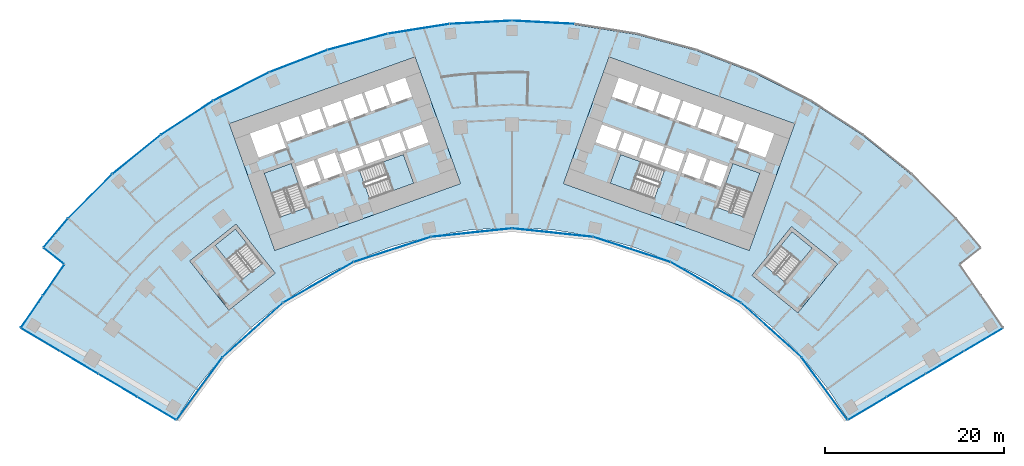
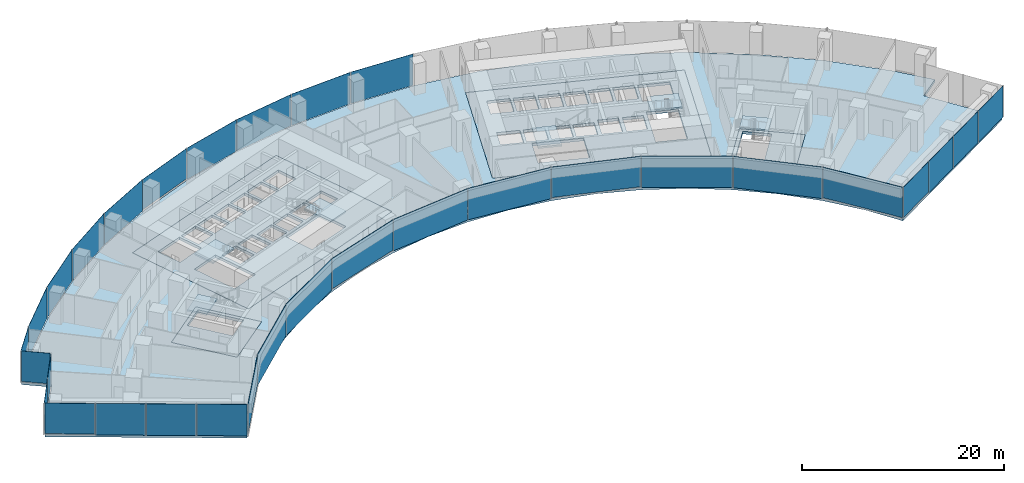
# One storey, part 12 of 21: 31 plates, 11 slabs, 12 elements without a shape of their own.
"""IFC4 building model written with IfcOpenShell, lengths in metres."""

from ifc_helpers import new_model, si_unit, direction, frame, origin, origin_2d, place, context, subcontext, project, spatial, polyline, rectangle, outline, extrude, material, layer, layer_set, type_object, element, aggregate, save


model = new_model("IFC4")

# Units and contexts
model_context = context("Model", 3, precision=1e-05, world=origin(), true_north=direction((0.0, 1.0)))
body_context = subcontext(model_context, "Body", "Model", "MODEL_VIEW")
ifc_project = project(units=[si_unit("LENGTHUNIT", "METRE"), si_unit("AREAUNIT", "SQUARE_METRE"), si_unit("VOLUMEUNIT", "CUBIC_METRE"), si_unit("PLANEANGLEUNIT", "RADIAN"), si_unit("MASSUNIT", "GRAM", prefix="KILO")], contexts=[model_context])

# Site, building, storey
site_placement = place(None, origin())
site = spatial("IfcSite", under=ifc_project, at=site_placement, CompositionType="ELEMENT")
building_placement = place(site_placement, origin())
building = spatial("IfcBuilding", under=site, at=building_placement, Name="Stone Belt Terrace Tower", CompositionType="ELEMENT")
storey_placement = place(building_placement, frame((0.0, 0.0, 37.60009765625)))
storey = spatial("IfcBuildingStorey", under=building, at=storey_placement, Name="L08", CompositionType="ELEMENT", Elevation=37.60009765625)

# Curtain wall, plates
ifc_material_1 = material(Name="Aluminium 6063-T6 anodised frame", Category="aluminium")
ifc_layer_1 = layer(ifc_material_1, 0.14990234375)
ifc_layer_set_1 = layer_set([ifc_layer_1], Name="CW-A unitised convex-face curtain wall")
curtain_wall_type_1 = type_object("IfcCurtainWallType", Name="CW-A unitised convex-face curtain wall", PredefinedType="NOTDEFINED", material=ifc_layer_set_1)
curtain_wall_1_placement = place(storey_placement, origin())
curtain_wall_1 = element("IfcCurtainWall", 1, at=curtain_wall_1_placement, inside=storey, type_object=curtain_wall_type_1, Name="CW-A convex face L08", PredefinedType="NOTDEFINED")
ifc_material_2 = material(Name="Clear double glazed unit")
ifc_layer_2 = layer(ifc_material_2, 0.031982421875)
ifc_layer_set_2 = layer_set([ifc_layer_2], Name="CW-A glass panel 32")
plate_type_1 = type_object("IfcPlateType", Name="CW-A glass panel 32", PredefinedType="CURTAIN_PANEL", material=ifc_layer_set_2)
plate_1_placement = place(storey_placement, frame((3.4794921875, 66.392822265625, 0.0), z_axis=(0.0, 0.0, 1.0), x_axis=(-0.998629534755, 0.052335956243, 0.0)))
plate_1 = element("IfcPlate", 2, at=plate_1_placement, type_object=plate_type_1, Name="CW-A panel 9.1", PredefinedType="CURTAIN_PANEL", context=body_context, shape_type="SweptSolid", body=[
    extrude(rectangle(XDim=6.90087890625, YDim=0.031982421875, at=origin_2d()), origin(), (0.0, 0.0, 1.0), 3.800048828125),
])
plate_2_placement = place(storey_placement, frame((-3.4794921875, 66.392822265625, 0.0), z_axis=(0.0, 0.0, 1.0), x_axis=(-0.998629534755, -0.052335956243, 0.0)))
plate_2 = element("IfcPlate", 3, at=plate_2_placement, type_object=plate_type_1, Name="CW-A panel 10.1", PredefinedType="CURTAIN_PANEL", context=body_context, shape_type="SweptSolid", body=[
    extrude(rectangle(XDim=6.90087890625, YDim=0.031982421875, at=origin_2d()), origin(), (0.0, 0.0, 1.0), 3.800048828125),
])
plate_3_placement = place(storey_placement, frame((-10.400390625, 65.665283203125, 0.0), z_axis=(0.0, 0.0, 1.0), x_axis=(-0.987688340595, -0.15643446504, 0.0)))
plate_3 = element("IfcPlate", 4, at=plate_3_placement, type_object=plate_type_1, Name="CW-A panel 11.1", PredefinedType="CURTAIN_PANEL", context=body_context, shape_type="SweptSolid", body=[
    extrude(rectangle(XDim=6.90087890625, YDim=0.031982421875, at=origin_2d()), origin(), (0.0, 0.0, 1.0), 3.800048828125),
])
plate_4_placement = place(storey_placement, frame((-17.207275390625, 64.218505859375, 0.0), z_axis=(0.0, 0.0, 1.0), x_axis=(-0.965925826289, -0.258819045103, 0.0)))
plate_4 = element("IfcPlate", 5, at=plate_4_placement, type_object=plate_type_1, Name="CW-A panel 12.1", PredefinedType="CURTAIN_PANEL", context=body_context, shape_type="SweptSolid", body=[
    extrude(rectangle(XDim=6.90087890625, YDim=0.031982421875, at=origin_2d()), origin(), (0.0, 0.0, 1.0), 3.800048828125),
])
plate_5_placement = place(storey_placement, frame((-23.82568359375, 62.068115234375, 0.14013671875), z_axis=(0.0, 0.0, 1.0), x_axis=(-0.933580426497, -0.358367949545, 0.0)))
plate_5 = element("IfcPlate", 6, at=plate_5_placement, type_object=plate_type_1, Name="CW-A panel 13.1", PredefinedType="CURTAIN_PANEL", context=body_context, shape_type="SweptSolid", body=[
    extrude(rectangle(XDim=6.90087890625, YDim=0.031982421875, at=origin_2d()), origin(), (0.0, 0.0, 1.0), 3.659912109375),
])
plate_6_placement = place(storey_placement, frame((-30.18310546875, 59.237548828125, 0.0), z_axis=(0.0, 0.0, 1.0), x_axis=(-0.891006524188, -0.45399049974, 0.0)))
plate_6 = element("IfcPlate", 7, at=plate_6_placement, type_object=plate_type_1, Name="CW-A panel 14.1", PredefinedType="CURTAIN_PANEL", context=body_context, shape_type="SweptSolid", body=[
    extrude(rectangle(XDim=6.90087890625, YDim=0.031982421875, at=origin_2d()), origin(), (0.0, 0.0, 1.0), 3.800048828125),
])
plate_7_placement = place(storey_placement, frame((-36.209716796875, 55.758056640625, 0.0), z_axis=(0.0, 0.0, 1.0), x_axis=(-0.838670567945, -0.544639035015, 0.0)))
plate_7 = element("IfcPlate", 8, at=plate_7_placement, type_object=plate_type_1, Name="CW-A panel 15.1", PredefinedType="CURTAIN_PANEL", context=body_context, shape_type="SweptSolid", body=[
    extrude(rectangle(XDim=6.90087890625, YDim=0.031982421875, at=origin_2d()), origin(), (0.0, 0.0, 1.0), 3.800048828125),
])
plate_8_placement = place(storey_placement, frame((-41.839599609375, 51.667724609375, 0.0), z_axis=(0.0, 0.0, 1.0), x_axis=(-0.777145961457, -0.62932039105, 0.0)))
plate_8 = element("IfcPlate", 9, at=plate_8_placement, type_object=plate_type_1, Name="CW-A panel 16.1", PredefinedType="CURTAIN_PANEL", context=body_context, shape_type="SweptSolid", body=[
    extrude(rectangle(XDim=6.90087890625, YDim=0.031982421875, at=origin_2d()), origin(), (0.0, 0.0, 1.0), 3.800048828125),
])
plate_9_placement = place(storey_placement, frame((-47.01123046875, 47.01123046875, 0.0), z_axis=(0.0, 0.0, 1.0), x_axis=(-0.707106781187, -0.707106781187, 0.0)))
plate_9 = element("IfcPlate", 10, at=plate_9_placement, type_object=plate_type_1, Name="CW-A panel 17.1", PredefinedType="CURTAIN_PANEL", context=body_context, shape_type="SweptSolid", body=[
    extrude(rectangle(XDim=6.90087890625, YDim=0.031982421875, at=origin_2d()), origin(), (0.0, 0.0, 1.0), 3.800048828125),
])
plate_10_placement = place(storey_placement, frame((-50.84423828125, 42.92626953125, 0.0), z_axis=(0.0, 0.0, 1.0), x_axis=(-0.645291395384, -0.763936525533, 0.0)))
plate_10 = element("IfcPlate", 11, at=plate_10_placement, type_object=plate_type_1, Name="CW-A panel 18.1", PredefinedType="CURTAIN_PANEL", context=body_context, shape_type="SweptSolid", body=[
    extrude(rectangle(XDim=4.17919921875, YDim=0.031982421875, at=origin_2d()), origin(), (0.0, 0.0, 1.0), 3.800048828125),
])
aggregate(curtain_wall_1, [plate_1, plate_2, plate_3, plate_4, plate_5, plate_6, plate_7, plate_8, plate_9, plate_10])

ifc_layer_3 = layer(ifc_material_1, 0.14990234375)
ifc_layer_set_3 = layer_set([ifc_layer_3], Name="CW-B unitised concave-face curtain wall")
curtain_wall_type_2 = type_object("IfcCurtainWallType", Name="CW-B unitised concave-face curtain wall", PredefinedType="NOTDEFINED", material=ifc_layer_set_3)
curtain_wall_2_placement = place(storey_placement, origin())
curtain_wall_2 = element("IfcCurtainWall", 12, at=curtain_wall_2_placement, inside=storey, type_object=curtain_wall_type_2, Name="CW-B concave face L08", PredefinedType="NOTDEFINED")
ifc_layer_4 = layer(ifc_material_2, 0.030029296875)
ifc_layer_set_4 = layer_set([ifc_layer_4], Name="CW-B glass panel 30")
plate_type_2 = type_object("IfcPlateType", Name="CW-B glass panel 30", PredefinedType="CURTAIN_PANEL", material=ifc_layer_set_4)
plate_11_placement = place(storey_placement, frame((-34.831787109375, 25.57177734375, 0.1201171875), z_axis=(0.0, 0.0, 1.0), x_axis=(0.592159017675, 0.805821132626, 0.0)))
plate_11 = element("IfcPlate", 13, at=plate_11_placement, type_object=plate_type_2, Name="CW-B panel 1.1", PredefinedType="CURTAIN_PANEL", context=body_context, shape_type="SweptSolid", body=[
    extrude(rectangle(XDim=8.583984375, YDim=0.030029296875, at=origin_2d()), origin(), (0.0, 0.0, 1.0), 3.679931640625),
])
plate_12_placement = place(storey_placement, frame((-28.897705078125, 32.09375, 0.0), z_axis=(0.0, 0.0, 1.0), x_axis=(0.743144825477, 0.669130606359, 0.0)))
plate_12 = element("IfcPlate", 14, at=plate_12_placement, type_object=plate_type_2, Name="CW-B panel 2.1", PredefinedType="CURTAIN_PANEL", context=body_context, shape_type="SweptSolid", body=[
    extrude(rectangle(XDim=9.01318359375, YDim=0.030029296875, at=origin_2d()), origin(), (0.0, 0.0, 1.0), 3.800048828125),
])
plate_13_placement = place(storey_placement, frame((-21.59326171875, 37.40087890625, 0.0), z_axis=(0.0, 0.0, 1.0), x_axis=(0.866025403784, 0.5, 0.0)))
plate_13 = element("IfcPlate", 15, at=plate_13_placement, type_object=plate_type_2, Name="CW-B panel 3.1", PredefinedType="CURTAIN_PANEL", context=body_context, shape_type="SweptSolid", body=[
    extrude(rectangle(XDim=9.0126953125, YDim=0.030029296875, at=origin_2d()), origin(), (0.0, 0.0, 1.0), 3.800048828125),
])
plate_14_placement = place(storey_placement, frame((-13.345458984375, 41.072998046875, 0.1201171875), z_axis=(0.0, 0.0, 1.0), x_axis=(0.951056516295, 0.309016994375, 0.0)))
plate_14 = element("IfcPlate", 16, at=plate_14_placement, type_object=plate_type_2, Name="CW-B panel 4.1", PredefinedType="CURTAIN_PANEL", context=body_context, shape_type="SweptSolid", body=[
    extrude(rectangle(XDim=9.0126953125, YDim=0.030029296875, at=origin_2d()), origin(), (0.0, 0.0, 1.0), 3.679931640625),
])
plate_15_placement = place(storey_placement, frame((-4.51416015625, 42.9501953125, 0.0), z_axis=(0.0, 0.0, 1.0), x_axis=(0.994521895368, 0.104528463268, 0.0)))
plate_15 = element("IfcPlate", 17, at=plate_15_placement, type_object=plate_type_2, Name="CW-B panel 5.1", PredefinedType="CURTAIN_PANEL", context=body_context, shape_type="SweptSolid", body=[
    extrude(rectangle(XDim=9.0126953125, YDim=0.030029296875, at=origin_2d()), origin(), (0.0, 0.0, 1.0), 3.800048828125),
])
plate_16_placement = place(storey_placement, frame((4.51416015625, 42.9501953125, 0.0), z_axis=(0.0, 0.0, 1.0), x_axis=(0.994521895368, -0.104528463268, 0.0)))
plate_16 = element("IfcPlate", 18, at=plate_16_placement, type_object=plate_type_2, Name="CW-B panel 6.1", PredefinedType="CURTAIN_PANEL", context=body_context, shape_type="SweptSolid", body=[
    extrude(rectangle(XDim=9.0126953125, YDim=0.030029296875, at=origin_2d()), origin(), (0.0, 0.0, 1.0), 3.800048828125),
])
plate_17_placement = place(storey_placement, frame((13.345458984375, 41.072998046875, 0.1201171875), z_axis=(0.0, 0.0, 1.0), x_axis=(0.951056516295, -0.309016994375, 0.0)))
plate_17 = element("IfcPlate", 19, at=plate_17_placement, type_object=plate_type_2, Name="CW-B panel 7.1", PredefinedType="CURTAIN_PANEL", context=body_context, shape_type="SweptSolid", body=[
    extrude(rectangle(XDim=9.0126953125, YDim=0.030029296875, at=origin_2d()), origin(), (0.0, 0.0, 1.0), 3.679931640625),
])
plate_18_placement = place(storey_placement, frame((21.59326171875, 37.40087890625, 0.0), z_axis=(0.0, 0.0, 1.0), x_axis=(0.866025403784, -0.5, 0.0)))
plate_18 = element("IfcPlate", 20, at=plate_18_placement, type_object=plate_type_2, Name="CW-B panel 8.1", PredefinedType="CURTAIN_PANEL", context=body_context, shape_type="SweptSolid", body=[
    extrude(rectangle(XDim=9.0126953125, YDim=0.030029296875, at=origin_2d()), origin(), (0.0, 0.0, 1.0), 3.800048828125),
])
plate_19_placement = place(storey_placement, frame((28.897705078125, 32.09375, 0.0), z_axis=(0.0, 0.0, 1.0), x_axis=(0.743144825477, -0.669130606359, 0.0)))
plate_19 = element("IfcPlate", 21, at=plate_19_placement, type_object=plate_type_2, Name="CW-B panel 9.1", PredefinedType="CURTAIN_PANEL", context=body_context, shape_type="SweptSolid", body=[
    extrude(rectangle(XDim=9.01318359375, YDim=0.030029296875, at=origin_2d()), origin(), (0.0, 0.0, 1.0), 3.800048828125),
])
plate_20_placement = place(storey_placement, frame((34.831787109375, 25.57177734375, 0.1201171875), z_axis=(0.0, 0.0, 1.0), x_axis=(0.592159017675, -0.805821132626, 0.0)))
plate_20 = element("IfcPlate", 22, at=plate_20_placement, type_object=plate_type_2, Name="CW-B panel 10.1", PredefinedType="CURTAIN_PANEL", context=body_context, shape_type="SweptSolid", body=[
    extrude(rectangle(XDim=8.583984375, YDim=0.030029296875, at=origin_2d()), origin(), (0.0, 0.0, 1.0), 3.679931640625),
])
aggregate(curtain_wall_2, [plate_11, plate_12, plate_13, plate_14, plate_15, plate_16, plate_17, plate_18, plate_19, plate_20])

ifc_layer_5 = layer(ifc_material_1, 0.14990234375)
ifc_layer_set_5 = layer_set([ifc_layer_5], Name="CW-C stick curtain wall, horn ends and notches")
curtain_wall_type_3 = type_object("IfcCurtainWallType", Name="CW-C stick curtain wall, horn ends and notches", PredefinedType="NOTDEFINED", material=ifc_layer_set_5)
curtain_wall_3_placement = place(storey_placement, origin())
curtain_wall_3 = element("IfcCurtainWall", 23, at=curtain_wall_3_placement, inside=storey, type_object=curtain_wall_type_3, Name="CW-C end face L08", PredefinedType="NOTDEFINED")
ifc_layer_6 = layer(ifc_material_2, 0.028076171875)
ifc_layer_set_6 = layer_set([ifc_layer_6], Name="CW-C glass panel 28")
plate_type_3 = type_object("IfcPlateType", Name="CW-C glass panel 28", PredefinedType="CURTAIN_PANEL", material=ifc_layer_set_6)
plate_21_placement = place(storey_placement, frame((39.613037109375, 23.359130859375, 0.1201171875), z_axis=(0.0, 0.0, 1.0), x_axis=(0.860557728521, 0.509352918793, 0.0)))
plate_21 = element("IfcPlate", 24, at=plate_21_placement, type_object=plate_type_3, Name="CW-C panel 1.1", PredefinedType="CURTAIN_PANEL", context=body_context, shape_type="SweptSolid", body=[
    extrude(rectangle(XDim=4.96533203125, YDim=0.028076171875, at=origin_2d()), origin(), (0.0, 0.0, 1.0), 3.679931640625),
])
plate_22_placement = place(storey_placement, frame((43.9267578125, 25.912353515625, 0.0), z_axis=(0.0, 0.0, 1.0), x_axis=(0.860557728521, 0.509352918793, 0.0)))
plate_22 = element("IfcPlate", 25, at=plate_22_placement, type_object=plate_type_3, Name="CW-C panel 2.1", PredefinedType="CURTAIN_PANEL", context=body_context, shape_type="SweptSolid", body=[
    extrude(rectangle(XDim=4.93994140625, YDim=0.028076171875, at=origin_2d()), origin(), (0.0, 0.0, 1.0), 3.800048828125),
])
plate_23_placement = place(storey_placement, frame((48.2294921875, 28.459228515625, 0.0), z_axis=(0.0, 0.0, 1.0), x_axis=(0.860557728521, 0.509352918793, 0.0)))
plate_23 = element("IfcPlate", 26, at=plate_23_placement, type_object=plate_type_3, Name="CW-C panel 3.1", PredefinedType="CURTAIN_PANEL", context=body_context, shape_type="SweptSolid", body=[
    extrude(rectangle(XDim=4.93994140625, YDim=0.028076171875, at=origin_2d()), origin(), (0.0, 0.0, 1.0), 3.800048828125),
])
plate_24_placement = place(storey_placement, frame((52.54736328125, 31.014892578125, 0.0), z_axis=(0.0, 0.0, 1.0), x_axis=(0.860557728521, 0.509352918793, 0.0)))
plate_24 = element("IfcPlate", 27, at=plate_24_placement, type_object=plate_type_3, Name="CW-C panel 4.1", PredefinedType="CURTAIN_PANEL", context=body_context, shape_type="SweptSolid", body=[
    extrude(rectangle(XDim=4.974853515625, YDim=0.028076171875, at=origin_2d()), origin(), (0.0, 0.0, 1.0), 3.800048828125),
])
aggregate(curtain_wall_3, [plate_21, plate_22, plate_23, plate_24])

# Curtain wall, plate
curtain_wall_4_placement = place(storey_placement, origin())
curtain_wall_4 = element("IfcCurtainWall", 28, at=curtain_wall_4_placement, inside=storey, type_object=curtain_wall_type_3, Name="CW-C notch face L08", PredefinedType="NOTDEFINED")
plate_25_placement = place(storey_placement, frame((-51.061279296875, 40.3388671875, 0.1201171875), z_axis=(0.0, 0.0, 1.0), x_axis=(0.783963828584, -0.620806504051, 0.0)))
plate_25 = element("IfcPlate", 29, at=plate_25_placement, type_object=plate_type_3, Name="CW-C panel 1.1", PredefinedType="CURTAIN_PANEL", context=body_context, shape_type="SweptSolid", body=[
    extrude(rectangle(XDim=2.859375, YDim=0.028076171875, at=origin_2d()), origin(), (0.0, 0.0, 1.0), 3.679931640625),
])
aggregate(curtain_wall_4, [plate_25])

# Curtain wall, plates
curtain_wall_5_placement = place(storey_placement, origin())
curtain_wall_5 = element("IfcCurtainWall", 30, at=curtain_wall_5_placement, inside=storey, type_object=curtain_wall_type_3, Name="CW-C notch face L08", PredefinedType="NOTDEFINED")
plate_26_placement = place(storey_placement, frame((-51.091552734375, 37.647705078125, 0.1201171875), z_axis=(0.0, 0.0, 1.0), x_axis=(-0.566375967567, -0.824146991357, 0.0)))
plate_26 = element("IfcPlate", 31, at=plate_26_placement, type_object=plate_type_3, Name="CW-C panel 1.1", PredefinedType="CURTAIN_PANEL", context=body_context, shape_type="SweptSolid", body=[
    extrude(rectangle(XDim=4.12060546875, YDim=0.028076171875, at=origin_2d()), origin(), (0.0, 0.0, 1.0), 3.679931640625),
])
plate_27_placement = place(storey_placement, frame((-53.501220703125, 34.141357421875, 0.0), z_axis=(0.0, 0.0, 1.0), x_axis=(-0.566375967567, -0.824146991357, 0.0)))
plate_27 = element("IfcPlate", 32, at=plate_27_placement, type_object=plate_type_3, Name="CW-C panel 2.1", PredefinedType="CURTAIN_PANEL", context=body_context, shape_type="SweptSolid", body=[
    extrude(rectangle(XDim=4.268798828125, YDim=0.028076171875, at=origin_2d()), origin(), (0.0, 0.0, 1.0), 3.800048828125),
])
aggregate(curtain_wall_5, [plate_26, plate_27])

curtain_wall_6_placement = place(storey_placement, origin())
curtain_wall_6 = element("IfcCurtainWall", 33, at=curtain_wall_6_placement, inside=storey, type_object=curtain_wall_type_3, Name="CW-C end face L08", PredefinedType="NOTDEFINED")
plate_28_placement = place(storey_placement, frame((-52.54736328125, 31.014892578125, 0.1201171875), z_axis=(0.0, 0.0, 1.0), x_axis=(0.860557728521, -0.509352918793, 0.0)))
plate_28 = element("IfcPlate", 34, at=plate_28_placement, type_object=plate_type_3, Name="CW-C panel 1.1", PredefinedType="CURTAIN_PANEL", context=body_context, shape_type="SweptSolid", body=[
    extrude(rectangle(XDim=4.974853515625, YDim=0.028076171875, at=origin_2d()), origin(), (0.0, 0.0, 1.0), 3.679931640625),
])
plate_29_placement = place(storey_placement, frame((-48.2294921875, 28.459228515625, 0.0), z_axis=(0.0, 0.0, 1.0), x_axis=(0.860557728521, -0.509352918793, 0.0)))
plate_29 = element("IfcPlate", 35, at=plate_29_placement, type_object=plate_type_3, Name="CW-C panel 2.1", PredefinedType="CURTAIN_PANEL", context=body_context, shape_type="SweptSolid", body=[
    extrude(rectangle(XDim=4.93994140625, YDim=0.028076171875, at=origin_2d()), origin(), (0.0, 0.0, 1.0), 3.800048828125),
])
plate_30_placement = place(storey_placement, frame((-43.9267578125, 25.912353515625, 0.0), z_axis=(0.0, 0.0, 1.0), x_axis=(0.860557728521, -0.509352918793, 0.0)))
plate_30 = element("IfcPlate", 36, at=plate_30_placement, type_object=plate_type_3, Name="CW-C panel 3.1", PredefinedType="CURTAIN_PANEL", context=body_context, shape_type="SweptSolid", body=[
    extrude(rectangle(XDim=4.93994140625, YDim=0.028076171875, at=origin_2d()), origin(), (0.0, 0.0, 1.0), 3.800048828125),
])
plate_31_placement = place(storey_placement, frame((-39.613037109375, 23.359130859375, 0.0), z_axis=(0.0, 0.0, 1.0), x_axis=(0.860557728521, -0.509352918793, 0.0)))
plate_31 = element("IfcPlate", 37, at=plate_31_placement, type_object=plate_type_3, Name="CW-C panel 4.1", PredefinedType="CURTAIN_PANEL", context=body_context, shape_type="SweptSolid", body=[
    extrude(rectangle(XDim=4.96533203125, YDim=0.028076171875, at=origin_2d()), origin(), (0.0, 0.0, 1.0), 3.800048828125),
])
aggregate(curtain_wall_6, [plate_28, plate_29, plate_30, plate_31])

# Slabs
ifc_material_3 = material(Name="Concrete B40", Category="concrete")
ifc_layer_7 = layer(ifc_material_3, 0.320068359375)
ifc_layer_set_7 = layer_set([ifc_layer_7], Name="Core floor slab 320")
slab_type_1 = type_object("IfcSlabType", Name="Core floor slab 320", PredefinedType="FLOOR", material=ifc_layer_set_7)
slab_1_placement = place(storey_placement, frame((0.0, 0.0, -0.320068359375)))
element("IfcSlab", 38, at=slab_1_placement, inside=storey, type_object=slab_type_1, Name="Core A floor L08", PredefinedType="FLOOR", context=body_context, shape_type="SweptSolid", body=[
    extrude(outline(polyline([(-26.43505859375, 40.968994140625), (-5.735107421875, 48.4189453125), (-10.81396484375, 62.531982421875), (-31.513916015625, 55.0830078125), (-26.43505859375, 40.968994140625)]), holes=[polyline([(-24.60791015625, 50.659912109375), (-22.847900390625, 45.76806640625), (-25.85888671875, 44.68408203125), (-27.618896484375, 49.575927734375), (-24.60791015625, 50.659912109375)]), polyline([(-21.27392578125, 48.778076171875), (-23.25, 48.06689453125), (-24.06298828125, 50.324951171875), (-22.0869140625, 51.035888671875), (-21.27392578125, 48.778076171875)]), polyline([(-18.922119140625, 49.6240234375), (-20.89794921875, 48.9130859375), (-21.7109375, 51.1708984375), (-19.735107421875, 51.883056640625), (-18.922119140625, 49.6240234375)]), polyline([(-19.239990234375, 51.68896484375), (-17.217041015625, 52.4169921875), (-16.52294921875, 50.488037109375), (-18.5458984375, 49.760009765625), (-19.239990234375, 51.68896484375)]), polyline([(-29.2109375, 53.9990234375), (-26.153076171875, 55.09912109375), (-25.18798828125, 52.41796875), (-28.24609375, 51.31689453125), (-29.2109375, 53.9990234375)]), polyline([(-23.801025390625, 55.946044921875), (-23.0390625, 53.8291015625), (-25.10888671875, 53.083984375), (-25.87109375, 55.200927734375), (-23.801025390625, 55.946044921875)]), polyline([(-21.447998046875, 56.7919921875), (-20.68603515625, 54.675048828125), (-22.756103515625, 53.929931640625), (-23.51806640625, 56.047119140625), (-21.447998046875, 56.7919921875)]), polyline([(-19.095947265625, 57.638916015625), (-18.333984375, 55.52197265625), (-20.404052734375, 54.777099609375), (-21.166015625, 56.89404296875), (-19.095947265625, 57.638916015625)]), polyline([(-15.846923828125, 46.69189453125), (-16.998046875, 49.89208984375), (-12.10595703125, 51.652099609375), (-10.955078125, 48.452880859375), (-15.846923828125, 46.69189453125)]), polyline([(-16.239990234375, 50.589111328125), (-16.93408203125, 52.51806640625), (-14.864013671875, 53.262939453125), (-14.169921875, 51.333984375), (-16.239990234375, 50.589111328125)]), polyline([(-11.801025390625, 52.134033203125), (-11.847900390625, 52.116943359375), (-11.864990234375, 52.1640625), (-13.887939453125, 51.43603515625), (-14.58203125, 53.364990234375), (-12.511962890625, 54.110107421875), (-11.801025390625, 52.134033203125)]), polyline([(-9.30810546875, 53.031005859375), (-11.51904296875, 52.235107421875), (-12.22998046875, 54.2109375), (-10.01904296875, 55.007080078125), (-9.30810546875, 53.031005859375)]), polyline([(-16.743896484375, 58.485107421875), (-15.98193359375, 56.367919921875), (-18.052001953125, 55.623046875), (-18.81396484375, 57.739990234375), (-16.743896484375, 58.485107421875)]), polyline([(-14.39111328125, 59.33203125), (-13.6298828125, 57.215087890625), (-15.699951171875, 56.469970703125), (-16.4609375, 58.5869140625), (-14.39111328125, 59.33203125)]), polyline([(-11.89794921875, 60.22900390625), (-11.135986328125, 58.112060546875), (-13.346923828125, 57.31591796875), (-14.10888671875, 59.43408203125), (-11.89794921875, 60.22900390625)])]), origin(), (0.0, 0.0, 1.0), 0.320068359375),
])
slab_2_placement = place(storey_placement, frame((0.0, 0.0, -0.320068359375)))
element("IfcSlab", 39, at=slab_2_placement, inside=storey, type_object=slab_type_1, Name="Core B floor L08", PredefinedType="FLOOR", context=body_context, shape_type="SweptSolid", body=[
    extrude(outline(polyline([(26.43505859375, 40.968994140625), (31.513916015625, 55.0830078125), (10.81396484375, 62.531982421875), (5.735107421875, 48.4189453125), (26.43505859375, 40.968994140625)]), holes=[polyline([(12.10595703125, 51.652099609375), (16.998046875, 49.89208984375), (15.846923828125, 46.69189453125), (10.955078125, 48.452880859375), (12.10595703125, 51.652099609375)]), polyline([(19.239990234375, 51.68896484375), (18.5458984375, 49.760009765625), (16.52294921875, 50.488037109375), (17.217041015625, 52.4169921875), (19.239990234375, 51.68896484375)]), polyline([(16.239990234375, 50.589111328125), (14.169921875, 51.333984375), (14.864013671875, 53.262939453125), (16.93408203125, 52.51806640625), (16.239990234375, 50.589111328125)]), polyline([(14.58203125, 53.364990234375), (13.887939453125, 51.43603515625), (11.864990234375, 52.1640625), (11.847900390625, 52.116943359375), (11.801025390625, 52.134033203125), (12.511962890625, 54.110107421875), (14.58203125, 53.364990234375)]), polyline([(9.30810546875, 53.031005859375), (10.01904296875, 55.007080078125), (12.22998046875, 54.2109375), (11.51904296875, 52.235107421875), (9.30810546875, 53.031005859375)]), polyline([(16.743896484375, 58.485107421875), (18.81396484375, 57.739990234375), (18.052001953125, 55.623046875), (15.98193359375, 56.367919921875), (16.743896484375, 58.485107421875)]), polyline([(14.39111328125, 59.33203125), (16.4609375, 58.5869140625), (15.699951171875, 56.469970703125), (13.6298828125, 57.215087890625), (14.39111328125, 59.33203125)]), polyline([(11.89794921875, 60.22900390625), (14.10888671875, 59.43408203125), (13.346923828125, 57.31591796875), (11.135986328125, 58.112060546875), (11.89794921875, 60.22900390625)]), polyline([(25.85888671875, 44.68408203125), (22.847900390625, 45.76806640625), (24.60791015625, 50.659912109375), (27.618896484375, 49.575927734375), (25.85888671875, 44.68408203125)]), polyline([(21.27392578125, 48.778076171875), (22.0869140625, 51.035888671875), (24.06298828125, 50.324951171875), (23.25, 48.06689453125), (21.27392578125, 48.778076171875)]), polyline([(18.922119140625, 49.6240234375), (19.735107421875, 51.883056640625), (21.7109375, 51.1708984375), (20.89794921875, 48.9130859375), (18.922119140625, 49.6240234375)]), polyline([(29.2109375, 53.9990234375), (28.24609375, 51.31689453125), (25.18798828125, 52.41796875), (26.153076171875, 55.09912109375), (29.2109375, 53.9990234375)]), polyline([(23.801025390625, 55.946044921875), (25.87109375, 55.200927734375), (25.10888671875, 53.083984375), (23.0390625, 53.8291015625), (23.801025390625, 55.946044921875)]), polyline([(21.447998046875, 56.7919921875), (23.51806640625, 56.047119140625), (22.756103515625, 53.929931640625), (20.68603515625, 54.675048828125), (21.447998046875, 56.7919921875)]), polyline([(19.095947265625, 57.638916015625), (21.166015625, 56.89404296875), (20.404052734375, 54.777099609375), (18.333984375, 55.52197265625), (19.095947265625, 57.638916015625)])]), origin(), (0.0, 0.0, 1.0), 0.320068359375),
])
slab_3_placement = place(storey_placement, frame((0.0, 0.0, -0.320068359375)))
element("IfcSlab", 40, at=slab_3_placement, inside=storey, type_object=slab_type_1, Name="Exit stair ST3A floor L08", PredefinedType="FLOOR", context=body_context, shape_type="SweptSolid", body=[
    extrude(outline(polyline([(-26.39404296875, 38.425048828125), (-30.756103515625, 43.89990234375), (-35.91796875, 39.787109375), (-31.555908203125, 34.31298828125), (-26.39404296875, 38.425048828125)]), holes=[polyline([(-27.798095703125, 39.544921875), (-30.06591796875, 37.738037109375), (-33.087890625, 41.531005859375), (-30.820068359375, 43.337890625), (-27.798095703125, 39.544921875)])]), origin(), (0.0, 0.0, 1.0), 0.320068359375),
])
slab_4_placement = place(storey_placement, frame((0.0, 0.0, -0.320068359375)))
element("IfcSlab", 41, at=slab_4_placement, inside=storey, type_object=slab_type_1, Name="Exit stair ST3B floor L08", PredefinedType="FLOOR", context=body_context, shape_type="SweptSolid", body=[
    extrude(outline(polyline([(26.741943359375, 38.18408203125), (31.866943359375, 34.02392578125), (36.278076171875, 39.458984375), (31.154052734375, 43.618896484375), (26.741943359375, 38.18408203125)]), holes=[polyline([(30.407958984375, 37.462890625), (28.156005859375, 39.291015625), (31.2119140625, 43.055908203125), (33.464111328125, 41.22802734375), (30.407958984375, 37.462890625)])]), origin(), (0.0, 0.0, 1.0), 0.320068359375),
])
ifc_layer_8 = layer(ifc_material_3, 0.320068359375)
ifc_layer_set_8 = layer_set([ifc_layer_8], Name="Floor slab 320 B40")
slab_type_2 = type_object("IfcSlabType", Name="Floor slab 320 B40", PredefinedType="FLOOR", material=ifc_layer_set_8)
slab_5_placement = place(storey_placement, frame((0.0, 0.0, -0.320068359375)))
element("IfcSlab", 42, at=slab_5_placement, inside=storey, type_object=slab_type_2, Name="Floor slab L08", PredefinedType="FLOOR", context=body_context, shape_type="SweptSolid", body=[
    extrude(outline(polyline([(-49.419189453125, 44.497314453125), (-44.497314453125, 49.419189453125), (-39.087646484375, 53.799560546875), (-33.25, 57.5908203125), (-27.048095703125, 60.750732421875), (-20.549560546875, 63.245361328125), (-13.826171875, 65.046875), (-6.951171875, 66.1357421875), (0.0, 66.5), (6.951171875, 66.1357421875), (13.826171875, 65.046875), (20.549560546875, 63.245361328125), (27.048095703125, 60.750732421875), (33.25, 57.5908203125), (39.087646484375, 53.799560546875), (44.497314453125, 49.419189453125), (49.419189453125, 44.497314453125), (52.133544921875, 41.28369140625), (49.78173828125, 39.421142578125), (54.6455078125, 32.343994140625), (37.434326171875, 22.156982421875), (35.192138671875, 25.568603515625), (32.326904296875, 29.107177734375), (29.107177734375, 32.326904296875), (25.568603515625, 35.192138671875), (21.75, 37.672119140625), (17.693115234375, 39.7392578125), (13.442138671875, 41.37109375), (9.044189453125, 42.54931640625), (4.547119140625, 43.26171875), (0.0, 43.5), (-4.547119140625, 43.26171875), (-9.044189453125, 42.54931640625), (-13.442138671875, 41.37109375), (-17.693115234375, 39.7392578125), (-21.75, 37.672119140625), (-25.568603515625, 35.192138671875), (-29.107177734375, 32.326904296875), (-32.326904296875, 29.107177734375), (-35.192138671875, 25.568603515625), (-37.434326171875, 22.156982421875), (-54.6455078125, 32.343994140625), (-49.78173828125, 39.421142578125), (-52.133544921875, 41.28369140625), (-49.419189453125, 44.497314453125)]), holes=[polyline([(-26.434814453125, 40.968994140625), (-5.734619140625, 48.418701171875), (-10.81396484375, 62.532470703125), (-31.51416015625, 55.082763671875), (-26.434814453125, 40.968994140625)]), polyline([(10.81396484375, 62.532470703125), (5.734619140625, 48.418701171875), (26.434814453125, 40.968994140625), (31.51416015625, 55.082763671875), (10.81396484375, 62.532470703125)]), polyline([(-35.91796875, 39.787353515625), (-31.55615234375, 34.3125), (-26.39404296875, 38.425048828125), (-30.756103515625, 43.89990234375), (-35.91796875, 39.787353515625)]), polyline([(36.2783203125, 39.459228515625), (31.15380859375, 43.61865234375), (26.742431640625, 38.18359375), (31.86669921875, 34.024169921875), (36.2783203125, 39.459228515625)])]), origin(), (0.0, 0.0, 1.0), 0.320068359375),
])

# Stair, slab
stair_type = type_object("IfcStairType", Name="Exit stair 1500", PredefinedType="HALF_TURN_STAIR", material=ifc_material_3)
stair_1_placement = place(storey_placement, origin())
stair_1 = element("IfcStair", 43, at=stair_1_placement, inside=storey, type_object=stair_type, Name="L08 Exit stair 1 core A", PredefinedType="HALF_TURN_STAIR")
ifc_layer_9 = layer(ifc_material_3, 0.199951171875)
ifc_layer_set_9 = layer_set([ifc_layer_9], Name="Stair landing 200")
slab_type_3 = type_object("IfcSlabType", Name="Stair landing 200", PredefinedType="LANDING", material=ifc_layer_set_9)
slab_6_placement = place(storey_placement, frame((0.0, 0.0, 1.699951171875)))
slab_6 = element("IfcSlab", 44, at=slab_6_placement, type_object=slab_type_3, Name="ST1A landing 1", PredefinedType="LANDING", context=body_context, shape_type="SweptSolid", body=[
    extrude(outline(polyline([(-23.79541015625, 48.40087890625), (-24.6083984375, 50.659912109375), (-27.619384765625, 49.576171875), (-26.806396484375, 47.3173828125), (-23.79541015625, 48.40087890625)])), origin(), (0.0, 0.0, 1.0), 0.199951171875),
])
aggregate(stair_1, [slab_6])

stair_2_placement = place(storey_placement, origin())
stair_2 = element("IfcStair", 45, at=stair_2_placement, inside=storey, type_object=stair_type, Name="L08 Exit stair 2 core A", PredefinedType="HALF_TURN_STAIR")
slab_7_placement = place(storey_placement, frame((0.0, 0.0, 1.699951171875)))
slab_7 = element("IfcSlab", 46, at=slab_7_placement, type_object=slab_type_3, Name="ST2A landing 1", PredefinedType="LANDING", context=body_context, shape_type="SweptSolid", body=[
    extrude(outline(polyline([(-13.213623046875, 47.64013671875), (-10.95458984375, 48.453125), (-12.10595703125, 51.652099609375), (-14.36474609375, 50.839111328125), (-13.213623046875, 47.64013671875)])), origin(), (0.0, 0.0, 1.0), 0.199951171875),
])
aggregate(stair_2, [slab_7])

stair_3_placement = place(storey_placement, origin())
stair_3 = element("IfcStair", 47, at=stair_3_placement, inside=storey, type_object=stair_type, Name="L08 Exit stair 1 core B", PredefinedType="HALF_TURN_STAIR")
slab_8_placement = place(storey_placement, frame((0.0, 0.0, 1.699951171875)))
slab_8 = element("IfcSlab", 48, at=slab_8_placement, type_object=slab_type_3, Name="ST1B landing 1", PredefinedType="LANDING", context=body_context, shape_type="SweptSolid", body=[
    extrude(outline(polyline([(26.806396484375, 47.3173828125), (27.619384765625, 49.576171875), (24.6083984375, 50.659912109375), (23.79541015625, 48.40087890625), (26.806396484375, 47.3173828125)])), origin(), (0.0, 0.0, 1.0), 0.199951171875),
])
aggregate(stair_3, [slab_8])

stair_4_placement = place(storey_placement, origin())
stair_4 = element("IfcStair", 49, at=stair_4_placement, inside=storey, type_object=stair_type, Name="L08 Exit stair 2 core B", PredefinedType="HALF_TURN_STAIR")
slab_9_placement = place(storey_placement, frame((0.0, 0.0, 1.699951171875)))
slab_9 = element("IfcSlab", 50, at=slab_9_placement, type_object=slab_type_3, Name="ST2B landing 1", PredefinedType="LANDING", context=body_context, shape_type="SweptSolid", body=[
    extrude(outline(polyline([(14.36474609375, 50.839111328125), (12.10595703125, 51.652099609375), (10.95458984375, 48.453125), (13.213623046875, 47.64013671875), (14.36474609375, 50.839111328125)])), origin(), (0.0, 0.0, 1.0), 0.199951171875),
])
aggregate(stair_4, [slab_9])

stair_5_placement = place(storey_placement, origin())
stair_5 = element("IfcStair", 51, at=stair_5_placement, inside=storey, type_object=stair_type, Name="L08 Exit stair 3A", PredefinedType="HALF_TURN_STAIR")
slab_10_placement = place(storey_placement, frame((0.0, 0.0, 1.699951171875)))
slab_10 = element("IfcSlab", 52, at=slab_10_placement, type_object=slab_type_3, Name="ST3A landing 1", PredefinedType="LANDING", context=body_context, shape_type="SweptSolid", body=[
    extrude(outline(polyline([(-29.541748046875, 41.73388671875), (-30.819580078125, 43.337890625), (-33.087646484375, 41.53076171875), (-31.809814453125, 39.9267578125), (-29.541748046875, 41.73388671875)])), origin(), (0.0, 0.0, 1.0), 0.199951171875),
])
aggregate(stair_5, [slab_10])

stair_6_placement = place(storey_placement, origin())
stair_6 = element("IfcStair", 53, at=stair_6_placement, inside=storey, type_object=stair_type, Name="L08 Exit stair 3B", PredefinedType="HALF_TURN_STAIR")
slab_11_placement = place(storey_placement, frame((0.0, 0.0, 1.699951171875)))
slab_11 = element("IfcSlab", 54, at=slab_11_placement, type_object=slab_type_3, Name="ST3B landing 1", PredefinedType="LANDING", context=body_context, shape_type="SweptSolid", body=[
    extrude(outline(polyline([(32.17138671875, 39.635986328125), (33.4638671875, 41.228271484375), (31.21240234375, 43.055908203125), (29.919921875, 41.463623046875), (32.17138671875, 39.635986328125)])), origin(), (0.0, 0.0, 1.0), 0.199951171875),
])
aggregate(stair_6, [slab_11])

save(model, "model.ifc")
